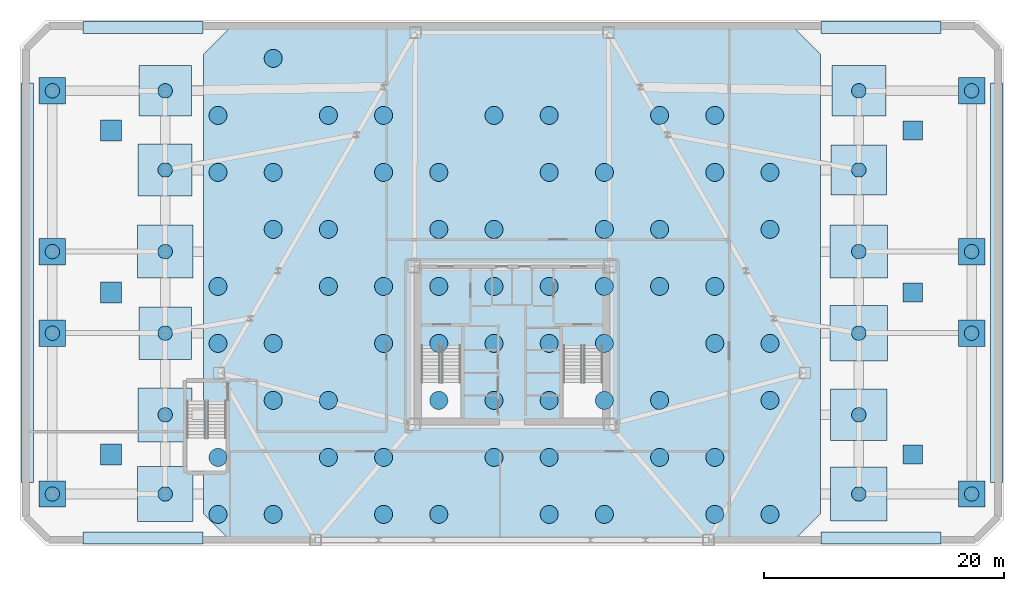
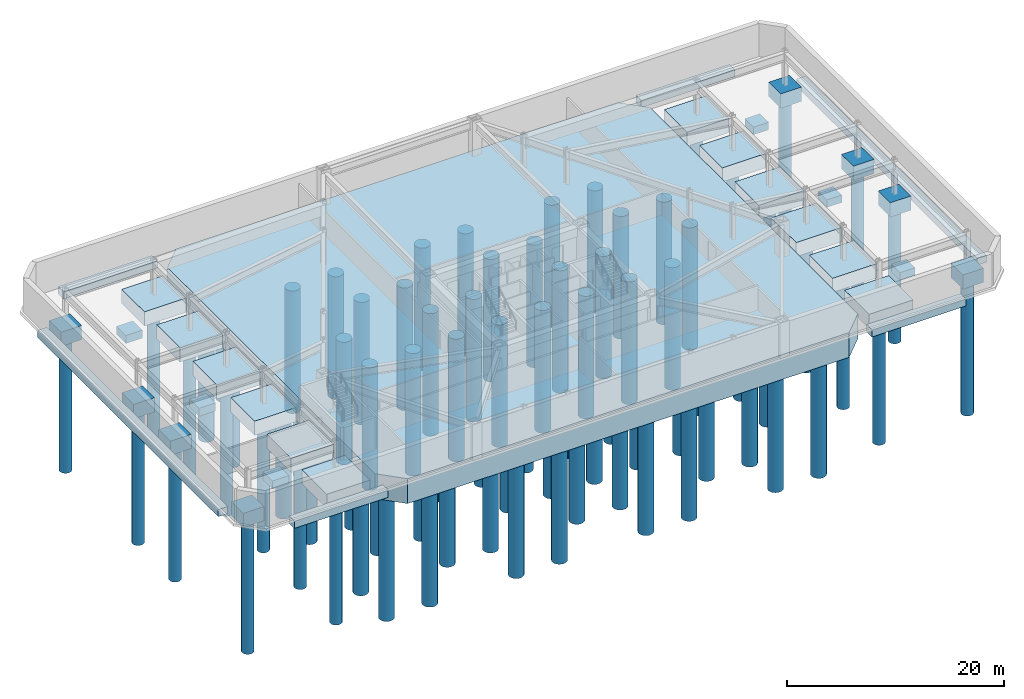
# One storey, part 1 of 8: 84 piles, 33 footings.
"""IFC4 building model written with IfcOpenShell, lengths in metres."""

import ifcopenshell
import ifcopenshell.guid

model = None  # the IFC model being written
_history = None  # IfcOwnerHistory: only IFC2X3 demands one
_inside = {}  # id of a spatial element -> (the spatial element, [elements in it])
_under = {}  # id of a project, library or spatial element -> (it, [spatial elements below it])
_declared = {}  # id of a project -> (the project, [libraries it declares])
_typed = {}  # id of a type object -> (the type object, [elements of that type])
_made_of = {}  # id of a material, layer set ... -> (it, [elements and type objects made of it])


def new_model(schema):
    """Start an empty IFC model of exactly this schema.

    Asked for "IFC4X3", IfcOpenShell would pick the latest addendum, in which some entities
    have other attributes; the version numbers below select the first issue.
    IFC2X3 requires an IfcOwnerHistory on every rooted entity: one is made here for all.
    """
    global model, _history
    if schema == "IFC4X3":
        model = ifcopenshell.file(schema_version=(4, 3, 0, 0))
    else:
        model = ifcopenshell.file(schema=schema)
    _inside.clear()
    _under.clear()
    _declared.clear()
    _typed.clear()
    _made_of.clear()
    _history = None
    if model.schema == "IFC2X3":
        org = make("IfcOrganization", Name="unknown")
        user = make(
            "IfcPersonAndOrganization",
            ThePerson=make("IfcPerson", FamilyName="unknown"),
            TheOrganization=org,
        )
        app = make(
            "IfcApplication",
            ApplicationDeveloper=org,
            Version="unknown",
            ApplicationFullName="unknown",
            ApplicationIdentifier="unknown",
        )
        _history = make(
            "IfcOwnerHistory",
            OwningUser=user,
            OwningApplication=app,
            ChangeAction="ADDED",
            CreationDate=0,
        )
    return model


def make(cls, **values):
    """One entity of the class cls with the attributes given. An attribute that is None is left unset."""
    return model.create_entity(
        cls, **{name: value for name, value in values.items() if value is not None}
    )


def rooted(cls, **values):
    """An entity with a GlobalId (a new one), such as an element, a storey or a relation."""
    return make(cls, GlobalId=ifcopenshell.guid.new(), OwnerHistory=_history, **values)


def si_unit(unit_type, name, prefix=None):
    """IfcSIUnit, for example si_unit("LENGTHUNIT", "METRE", prefix="MILLI")."""
    return make("IfcSIUnit", UnitType=unit_type, Prefix=prefix, Name=name)


def assignment(units):
    """IfcUnitAssignment: the units of a project."""
    return None if units is None else make("IfcUnitAssignment", Units=units)


def point(xyz):
    """IfcCartesianPoint."""
    return None if xyz is None else make("IfcCartesianPoint", Coordinates=xyz)


def direction(xyz):
    """IfcDirection."""
    return None if xyz is None else make("IfcDirection", DirectionRatios=xyz)


def frame(location, z_axis=None, x_axis=None):
    """IfcAxis2Placement3D, a coordinate frame: its origin and axes. An axis left out is left unset."""
    return make(
        "IfcAxis2Placement3D",
        Location=point(location),
        Axis=direction(z_axis),
        RefDirection=direction(x_axis),
    )


def frame_2d(location, x_axis=None):
    """IfcAxis2Placement2D, a coordinate frame in the plane: its origin and x axis."""
    return make(
        "IfcAxis2Placement2D", Location=point(location), RefDirection=direction(x_axis)
    )


def origin():
    """The frame at (0, 0, 0) with its axes left unset."""
    return frame((0.0, 0.0, 0.0))


def origin_2d():
    """The frame at (0, 0) in the plane with its x axis left unset."""
    return frame_2d((0.0, 0.0))


def place(relative_to, where):
    """IfcLocalPlacement: puts the frame where relative to a parent placement (None: the world)."""
    return make(
        "IfcLocalPlacement", PlacementRelTo=relative_to, RelativePlacement=where
    )


def context(
    kind, dimensions, precision=None, world=None, true_north=None, identifier=None
):
    """IfcGeometricRepresentationContext, for example the 3D "Model" context."""
    return make(
        "IfcGeometricRepresentationContext",
        ContextIdentifier=identifier,
        ContextType=kind,
        CoordinateSpaceDimension=dimensions,
        Precision=precision,
        WorldCoordinateSystem=world,
        TrueNorth=true_north,
    )


def subcontext(parent, identifier, kind, view, scale=None):
    """IfcGeometricRepresentationSubContext, for example "Body" below "Model"."""
    return make(
        "IfcGeometricRepresentationSubContext",
        ContextIdentifier=identifier,
        ContextType=kind,
        ParentContext=parent,
        TargetScale=scale,
        TargetView=view,
    )


def project(units=None, contexts=None):
    """IfcProject with its units and contexts."""
    return rooted(
        "IfcProject",
        Name="project",
        RepresentationContexts=contexts,
        UnitsInContext=assignment(units),
    )


def spatial(cls, under=None, at=None, **own):
    """A site, building, storey or space (cls), placed at a placement, below another one or the project."""
    s = rooted(cls, ObjectPlacement=at, **own)
    if under is not None:
        _under.setdefault(under.id(), (under, []))[1].append(s)
    return s


def polyline(points):
    """IfcPolyline through the points."""
    return make("IfcPolyline", Points=[point(p) for p in points])


def profile(cls, at=None, kind="AREA", **sizes):
    """A parametric profile (cls). Its sizes go by their IFC names, for example OverallWidth=200.0."""
    return make(cls, ProfileType=kind, Position=at, **sizes)


def rectangle(**sizes):
    """IfcRectangleProfileDef."""
    return profile("IfcRectangleProfileDef", **sizes)


def circle(**sizes):
    """IfcCircleProfileDef."""
    return profile("IfcCircleProfileDef", **sizes)


def outline(outer, holes=None, kind="AREA"):
    """IfcArbitraryClosedProfileDef: a profile drawn as a closed curve; with holes, ...WithVoids."""
    if holes is None:
        return make("IfcArbitraryClosedProfileDef", ProfileType=kind, OuterCurve=outer)
    return make(
        "IfcArbitraryProfileDefWithVoids",
        ProfileType=kind,
        OuterCurve=outer,
        InnerCurves=holes,
    )


def extrude(swept, where, along, depth):
    """IfcExtrudedAreaSolid: the profile swept, set in the frame where, extruded along a direction by depth."""
    return make(
        "IfcExtrudedAreaSolid",
        SweptArea=swept,
        Position=where,
        ExtrudedDirection=direction(along),
        Depth=depth,
    )


def shape(context_of_items, identifier, shape_type, items):
    """IfcShapeRepresentation: the items that make up one representation, for example the "Body"."""
    return make(
        "IfcShapeRepresentation",
        ContextOfItems=context_of_items,
        RepresentationIdentifier=identifier,
        RepresentationType=shape_type,
        Items=items,
    )


def material(Name=None, Category=None):
    """IfcMaterial."""
    return make("IfcMaterial", Name=Name, Category=Category)


def material_profile(
    of_material, cross_section, Name=None, Category=None, Priority=None
):
    """IfcMaterialProfile: a cross section and its material."""
    return make(
        "IfcMaterialProfile",
        Name=Name,
        Material=of_material,
        Profile=cross_section,
        Priority=Priority,
        Category=Category,
    )


def profile_set(profiles, Name=None, composite=None):
    """IfcMaterialProfileSet."""
    return make(
        "IfcMaterialProfileSet",
        Name=Name,
        MaterialProfiles=profiles,
        CompositeProfile=composite,
    )


def made_of(thing, what):
    """Note that an element or type object is made of a material, layer set ...; save() writes the relation."""
    if what is not None:
        _made_of.setdefault(what.id(), (what, []))[1].append(thing)
    return thing


def type_object(cls, material=None, **own):
    """A type object (cls), such as IfcWallType, which elements share."""
    return made_of(rooted(cls, **own), material)


def element(
    cls,
    number,
    at=None,
    inside=None,
    cuts=None,
    type_object=None,
    material=None,
    context=None,
    identifier="Body",
    shape_type=None,
    held_by="IfcProductDefinitionShape",
    body=None,
    shapes=None,
    **own,
):
    """One element of the class cls, such as IfcWall. Its Tag is "e" and its number.

    at: its placement. inside: the storey or other place that contains it. cuts: it is an
    opening in that element (IfcRelVoidsElement). A single representation is given by context,
    identifier, shape_type and body (its items); several are given by shapes. held_by: the class
    of the entity that holds the representations. save() writes the other relations.
    """
    e = rooted(cls, Tag="e%d" % number, ObjectPlacement=at, **own)
    if body is not None:
        shapes = [shape(context, identifier, shape_type, body)]
    if shapes is not None:
        e.Representation = make(held_by, Representations=shapes)
    if inside is not None:
        _inside.setdefault(inside.id(), (inside, []))[1].append(e)
    if cuts is not None:
        rooted(
            "IfcRelVoidsElement", RelatingBuildingElement=cuts, RelatedOpeningElement=e
        )
    if type_object is not None:
        _typed.setdefault(type_object.id(), (type_object, []))[1].append(e)
    return made_of(e, material)


def aggregate(whole, parts):
    """IfcRelAggregates: a whole, such as a stair, and the parts it consists of."""
    return rooted("IfcRelAggregates", RelatingObject=whole, RelatedObjects=parts)


def save(model, path):
    """Write the relations noted so far, then the file.

    IfcRelAggregates (storeys below a building ...), IfcRelContainedInSpatialStructure (elements
    in a storey), IfcRelDefinesByType, IfcRelAssociatesMaterial and IfcRelDeclares: one each for
    every whole, place, type object, material and project.
    """
    for whole, parts in _under.values():
        aggregate(whole, parts)
    for where, things in _inside.values():
        rooted(
            "IfcRelContainedInSpatialStructure",
            RelatedElements=things,
            RelatingStructure=where,
        )
    for kind, things in _typed.values():
        rooted("IfcRelDefinesByType", RelatedObjects=things, RelatingType=kind)
    for what, things in _made_of.values():
        rooted("IfcRelAssociatesMaterial", RelatedObjects=things, RelatingMaterial=what)
    for by, libraries in _declared.values():
        rooted("IfcRelDeclares", RelatingContext=by, RelatedDefinitions=libraries)
    model.write(path)


model = new_model("IFC4")

# Units and contexts
model_context = context("Model", 3, precision=1e-05, world=origin(), true_north=direction((0.0, 1.0)))
body_context = subcontext(model_context, "Body", "Model", "MODEL_VIEW")
ifc_project = project(units=[si_unit("LENGTHUNIT", "METRE"), si_unit("AREAUNIT", "SQUARE_METRE"), si_unit("VOLUMEUNIT", "CUBIC_METRE"), si_unit("PLANEANGLEUNIT", "RADIAN"), si_unit("MASSUNIT", "GRAM", prefix="KILO")], contexts=[model_context])

# Site, building, storey
site_placement = place(None, origin())
site = spatial("IfcSite", under=ifc_project, at=site_placement, CompositionType="ELEMENT")
building_placement = place(site_placement, origin())
building = spatial("IfcBuilding", under=site, at=building_placement, Name="Oramaril Tower", CompositionType="ELEMENT")
storey_placement = place(building_placement, frame((0.0, 0.0, -8.0)))
storey = spatial("IfcBuildingStorey", under=building, at=storey_placement, Name="B02", CompositionType="ELEMENT", Elevation=-8.0)

# Footings
ifc_material_1 = material(Name="Concrete C40/50", Category="concrete")
footing_type_1 = type_object("IfcFootingType", Name="FT-PAD1", PredefinedType="PAD_FOOTING", material=ifc_material_1)
for number, where, z_axis, x_axis, name in (
    (1, (4.10009765625, 8.5, -1.199951171875), (0.0, 0.0, 1.0), (1.0, 0.0, 0.0), "Substructure Equipment Pad PF-01-01"),
    (2, (4.10009765625, 22.0, -1.199951171875), (0.0, 0.0, 1.0), (1.0, 0.0, 0.0), "Substructure Equipment Pad PF-01-02"),
    (3, (4.10009765625, 35.5, -1.199951171875), (0.0, 0.0, 1.0), (1.0, 0.0, 0.0), "Substructure Equipment Pad PF-01-03"),
):
    element("IfcFooting", number, at=place(storey_placement, frame(where, z_axis=z_axis, x_axis=x_axis)), inside=storey, type_object=footing_type_1, Name=name, PredefinedType="PAD_FOOTING", context=body_context, shape_type="SweptSolid", body=[
        extrude(rectangle(XDim=1.75, YDim=1.75, at=origin_2d()), origin(), (0.0, 0.0, 1.0), 0.89990234375),
    ])
ifc_material_2 = material(Name="Concrete C40/50", Category="concrete")
footing_type_2 = type_object("IfcFootingType", Name="FT-PAD2", PredefinedType="PAD_FOOTING", material=ifc_material_2)
for number, where, z_axis, x_axis, name in (
    (4, (70.89990234375, 8.5, -1.150146484375), (0.0, 0.0, 1.0), (1.0, 0.0, 0.0), "Substructure Equipment Pad PF-02-04"),
    (5, (70.89990234375, 22.0, -1.150146484375), (0.0, 0.0, 1.0), (1.0, 0.0, 0.0), "Substructure Equipment Pad PF-02-05"),
    (6, (70.89990234375, 35.5, -1.150146484375), (0.0, 0.0, 1.0), (1.0, 0.0, 0.0), "Substructure Equipment Pad PF-02-06"),
):
    element("IfcFooting", number, at=place(storey_placement, frame(where, z_axis=z_axis, x_axis=x_axis)), inside=storey, type_object=footing_type_2, Name=name, PredefinedType="PAD_FOOTING", context=body_context, shape_type="SweptSolid", body=[
        extrude(rectangle(XDim=1.60009765625, YDim=1.60009765625, at=origin_2d()), origin(), (0.0, 0.0, 1.0), 0.85009765625),
    ])
ifc_material_3 = material(Name="Concrete C50/60", Category="concrete")
footing_type_3 = type_object("IfcFootingType", Name="FT-PC01", PredefinedType="PILE_CAP", material=ifc_material_3)
footing_1_placement = place(storey_placement, frame((8.60009765625, 5.199951171875, -1.60009765625), z_axis=(0.0, 0.0, 1.0), x_axis=(1.0, 0.0, 0.0)))
element("IfcFooting", 7, at=footing_1_placement, inside=storey, type_object=footing_type_3, Name="Podium Pile Cap PC-01", PredefinedType="PILE_CAP", context=body_context, shape_type="SweptSolid", body=[
    extrude(rectangle(XDim=4.60009765625, YDim=4.60009765625, at=origin_2d()), origin(), (0.0, 0.0, 1.0), 1.60009765625),
])
ifc_material_4 = material(Name="Concrete C50/60", Category="concrete")
footing_type_4 = type_object("IfcFootingType", Name="FT-PC02", PredefinedType="PILE_CAP", material=ifc_material_4)
footing_2_placement = place(storey_placement, frame((8.60009765625, 11.800048828125, -1.60009765625), z_axis=(0.0, 0.0, 1.0), x_axis=(1.0, 0.0, 0.0)))
element("IfcFooting", 8, at=footing_2_placement, inside=storey, type_object=footing_type_4, Name="Podium Pile Cap PC-02", PredefinedType="PILE_CAP", context=body_context, shape_type="SweptSolid", body=[
    extrude(rectangle(XDim=4.5, YDim=4.5, at=origin_2d()), origin(), (0.0, 0.0, 1.0), 1.60009765625),
])
ifc_material_5 = material(Name="Concrete C50/60", Category="concrete")
footing_type_5 = type_object("IfcFootingType", Name="FT-PC03", PredefinedType="PILE_CAP", material=ifc_material_5)
footing_3_placement = place(storey_placement, frame((8.60009765625, 18.60009765625, -1.60009765625), z_axis=(0.0, 0.0, 1.0), x_axis=(1.0, 0.0, 0.0)))
element("IfcFooting", 9, at=footing_3_placement, inside=storey, type_object=footing_type_5, Name="Podium Pile Cap PC-03", PredefinedType="PILE_CAP", context=body_context, shape_type="SweptSolid", body=[
    extrude(rectangle(XDim=4.39990234375, YDim=4.39990234375, at=origin_2d()), origin(), (0.0, 0.0, 1.0), 1.60009765625),
])
ifc_material_6 = material(Name="Concrete C50/60", Category="concrete")
footing_type_6 = type_object("IfcFootingType", Name="FT-PC04", PredefinedType="PILE_CAP", material=ifc_material_6)
footing_4_placement = place(storey_placement, frame((8.60009765625, 25.39990234375, -1.60009765625), z_axis=(0.0, 0.0, 1.0), x_axis=(1.0, 0.0, 0.0)))
element("IfcFooting", 10, at=footing_4_placement, inside=storey, type_object=footing_type_6, Name="Podium Pile Cap PC-04", PredefinedType="PILE_CAP", context=body_context, shape_type="SweptSolid", body=[
    extrude(rectangle(XDim=4.60009765625, YDim=4.39990234375, at=origin_2d()), origin(), (0.0, 0.0, 1.0), 1.60009765625),
])
ifc_material_7 = material(Name="Concrete C50/60", Category="concrete")
footing_type_7 = type_object("IfcFootingType", Name="FT-PC05", PredefinedType="PILE_CAP", material=ifc_material_7)
footing_5_placement = place(storey_placement, frame((8.60009765625, 32.199951171875, -1.60009765625), z_axis=(0.0, 0.0, 1.0), x_axis=(1.0, 0.0, 0.0)))
element("IfcFooting", 11, at=footing_5_placement, inside=storey, type_object=footing_type_7, Name="Podium Pile Cap PC-05", PredefinedType="PILE_CAP", context=body_context, shape_type="SweptSolid", body=[
    extrude(rectangle(XDim=4.5, YDim=4.300048828125, at=origin_2d()), origin(), (0.0, 0.0, 1.0), 1.60009765625),
])
ifc_material_8 = material(Name="Concrete C50/60", Category="concrete")
footing_type_8 = type_object("IfcFootingType", Name="FT-PC06", PredefinedType="PILE_CAP", material=ifc_material_8)
footing_6_placement = place(storey_placement, frame((8.60009765625, 38.800048828125, -1.60009765625), z_axis=(0.0, 0.0, 1.0), x_axis=(1.0, 0.0, 0.0)))
element("IfcFooting", 12, at=footing_6_placement, inside=storey, type_object=footing_type_8, Name="Podium Pile Cap PC-06", PredefinedType="PILE_CAP", context=body_context, shape_type="SweptSolid", body=[
    extrude(rectangle(XDim=4.39990234375, YDim=4.199951171875, at=origin_2d()), origin(), (0.0, 0.0, 1.0), 1.60009765625),
])
ifc_material_9 = material(Name="Concrete C50/60", Category="concrete")
footing_type_9 = type_object("IfcFootingType", Name="FT-PC07", PredefinedType="PILE_CAP", material=ifc_material_9)
footing_7_placement = place(storey_placement, frame((66.39990234375, 5.199951171875, -1.60009765625), z_axis=(0.0, 0.0, 1.0), x_axis=(1.0, 0.0, 0.0)))
element("IfcFooting", 13, at=footing_7_placement, inside=storey, type_object=footing_type_9, Name="Podium Pile Cap PC-07", PredefinedType="PILE_CAP", context=body_context, shape_type="SweptSolid", body=[
    extrude(rectangle(XDim=4.699951171875, YDim=4.5, at=origin_2d()), origin(), (0.0, 0.0, 1.0), 1.60009765625),
])
ifc_material_10 = material(Name="Concrete C50/60", Category="concrete")
footing_type_10 = type_object("IfcFootingType", Name="FT-PC08", PredefinedType="PILE_CAP", material=ifc_material_10)
footing_8_placement = place(storey_placement, frame((66.39990234375, 11.800048828125, -1.60009765625), z_axis=(0.0, 0.0, 1.0), x_axis=(1.0, 0.0, 0.0)))
element("IfcFooting", 14, at=footing_8_placement, inside=storey, type_object=footing_type_10, Name="Podium Pile Cap PC-08", PredefinedType="PILE_CAP", context=body_context, shape_type="SweptSolid", body=[
    extrude(rectangle(XDim=4.699951171875, YDim=4.300048828125, at=origin_2d()), origin(), (0.0, 0.0, 1.0), 1.60009765625),
])
ifc_material_11 = material(Name="Concrete C50/60", Category="concrete")
footing_type_11 = type_object("IfcFootingType", Name="FT-PC09", PredefinedType="PILE_CAP", material=ifc_material_11)
footing_9_placement = place(storey_placement, frame((66.39990234375, 18.60009765625, -1.60009765625), z_axis=(0.0, 0.0, 1.0), x_axis=(1.0, 0.0, 0.0)))
element("IfcFooting", 15, at=footing_9_placement, inside=storey, type_object=footing_type_11, Name="Podium Pile Cap PC-09", PredefinedType="PILE_CAP", context=body_context, shape_type="SweptSolid", body=[
    extrude(rectangle(XDim=4.800048828125, YDim=4.60009765625, at=origin_2d()), origin(), (0.0, 0.0, 1.0), 1.60009765625),
])
ifc_material_12 = material(Name="Concrete C50/60", Category="concrete")
footing_type_12 = type_object("IfcFootingType", Name="FT-PC10", PredefinedType="PILE_CAP", material=ifc_material_12)
footing_10_placement = place(storey_placement, frame((66.39990234375, 25.39990234375, -1.60009765625), z_axis=(0.0, 0.0, 1.0), x_axis=(1.0, 0.0, 0.0)))
element("IfcFooting", 16, at=footing_10_placement, inside=storey, type_object=footing_type_12, Name="Podium Pile Cap PC-10", PredefinedType="PILE_CAP", context=body_context, shape_type="SweptSolid", body=[
    extrude(rectangle(XDim=4.800048828125, YDim=4.39990234375, at=origin_2d()), origin(), (0.0, 0.0, 1.0), 1.60009765625),
])
ifc_material_13 = material(Name="Concrete C50/60", Category="concrete")
footing_type_13 = type_object("IfcFootingType", Name="FT-PC11", PredefinedType="PILE_CAP", material=ifc_material_13)
footing_11_placement = place(storey_placement, frame((66.39990234375, 32.199951171875, -1.60009765625), z_axis=(0.0, 0.0, 1.0), x_axis=(1.0, 0.0, 0.0)))
element("IfcFooting", 17, at=footing_11_placement, inside=storey, type_object=footing_type_13, Name="Podium Pile Cap PC-11", PredefinedType="PILE_CAP", context=body_context, shape_type="SweptSolid", body=[
    extrude(rectangle(XDim=4.60009765625, YDim=4.199951171875, at=origin_2d()), origin(), (0.0, 0.0, 1.0), 1.60009765625),
])
ifc_material_14 = material(Name="Concrete C50/60", Category="concrete")
footing_type_14 = type_object("IfcFootingType", Name="FT-PC12", PredefinedType="PILE_CAP", material=ifc_material_14)
footing_12_placement = place(storey_placement, frame((66.39990234375, 38.800048828125, -1.60009765625), z_axis=(0.0, 0.0, 1.0), x_axis=(1.0, 0.0, 0.0)))
element("IfcFooting", 18, at=footing_12_placement, inside=storey, type_object=footing_type_14, Name="Podium Pile Cap PC-12", PredefinedType="PILE_CAP", context=body_context, shape_type="SweptSolid", body=[
    extrude(rectangle(XDim=4.5, YDim=4.199951171875, at=origin_2d()), origin(), (0.0, 0.0, 1.0), 1.60009765625),
])
ifc_material_15 = material(Name="Concrete C50/60", Category="concrete")
footing_type_15 = type_object("IfcFootingType", Name="FT-PCW1", PredefinedType="PILE_CAP", material=ifc_material_15)
for number, where, z_axis, x_axis, name in (
    (19, (-0.800048828125, 5.199951171875, -1.60009765625), (0.0, 0.0, 1.0), (1.0, 0.0, 0.0), "Lower Podium Wing Pile Cap PC-13-01"),
    (20, (-0.800048828125, 18.60009765625, -1.60009765625), (0.0, 0.0, 1.0), (1.0, 0.0, 0.0), "Lower Podium Wing Pile Cap PC-13-02"),
    (21, (-0.800048828125, 25.39990234375, -1.60009765625), (0.0, 0.0, 1.0), (1.0, 0.0, 0.0), "Lower Podium Wing Pile Cap PC-13-03"),
    (22, (-0.800048828125, 38.800048828125, -1.60009765625), (0.0, 0.0, 1.0), (1.0, 0.0, 0.0), "Lower Podium Wing Pile Cap PC-13-04"),
    (23, (75.800048828125, 5.199951171875, -1.60009765625), (0.0, 0.0, 1.0), (1.0, 0.0, 0.0), "Lower Podium Wing Pile Cap PC-13-05"),
    (24, (75.800048828125, 18.60009765625, -1.60009765625), (0.0, 0.0, 1.0), (1.0, 0.0, 0.0), "Lower Podium Wing Pile Cap PC-13-06"),
    (25, (75.800048828125, 25.39990234375, -1.60009765625), (0.0, 0.0, 1.0), (1.0, 0.0, 0.0), "Lower Podium Wing Pile Cap PC-13-07"),
    (26, (75.800048828125, 38.800048828125, -1.60009765625), (0.0, 0.0, 1.0), (1.0, 0.0, 0.0), "Lower Podium Wing Pile Cap PC-13-08"),
):
    element("IfcFooting", number, at=place(storey_placement, frame(where, z_axis=z_axis, x_axis=x_axis)), inside=storey, type_object=footing_type_15, Name=name, PredefinedType="PILE_CAP", context=body_context, shape_type="SweptSolid", body=[
        extrude(rectangle(XDim=2.199951171875, YDim=2.199951171875, at=origin_2d()), origin(), (0.0, 0.0, 1.0), 1.60009765625),
    ])
ifc_material_16 = material(Name="Concrete C50/60", Category="concrete")
footing_type_16 = type_object("IfcFootingType", Name="FT-RF1", PredefinedType="PILE_CAP", material=ifc_material_16)
footing_13_placement = place(storey_placement, frame((0.0, 0.0, -2.800048828125)))
element("IfcFooting", 27, at=footing_13_placement, inside=storey, type_object=footing_type_16, Name="Tower Piled Raft RF-1", PredefinedType="PILE_CAP", context=body_context, shape_type="SweptSolid", body=[
    extrude(outline(polyline([(14.0, 1.35009765625), (61.0, 1.35009765625), (63.199951171875, 3.550048828125), (63.199951171875, 41.85009765625), (61.0, 44.050048828125), (14.0, 44.050048828125), (11.800048828125, 41.85009765625), (11.800048828125, 3.550048828125), (14.0, 1.35009765625)])), origin(), (0.0, 0.0, 1.0), 2.800048828125),
])
ifc_material_17 = material(Name="Concrete C40/50", Category="concrete")
footing_type_17 = type_object("IfcFootingType", Name="FT-STR1", PredefinedType="STRIP_FOOTING", material=ifc_material_17)
footing_14_placement = place(storey_placement, frame((0.0, 0.0, -1.10009765625)))
element("IfcFooting", 28, at=footing_14_placement, inside=storey, type_object=footing_type_17, Name="Perimeter Retaining Wall Strip Footing SF-01", PredefinedType="STRIP_FOOTING", context=body_context, shape_type="SweptSolid", body=[
    extrude(outline(polyline([(1.7568359375, 1.02001953125), (11.75, 1.02001953125), (11.75, 2.02001953125), (1.7568359375, 2.02001953125), (1.7568359375, 1.02001953125)])), origin(), (0.0, 0.0, 1.0), 0.800048828125),
])
footing_15_placement = place(storey_placement, frame((0.0, 0.0, -1.10009765625)))
element("IfcFooting", 29, at=footing_15_placement, inside=storey, type_object=footing_type_17, Name="Perimeter Retaining Wall Strip Footing SF-02", PredefinedType="STRIP_FOOTING", context=body_context, shape_type="SweptSolid", body=[
    extrude(outline(polyline([(63.25, 1.02001953125), (73.2431640625, 1.02001953125), (73.2431640625, 2.02001953125), (63.25, 2.02001953125), (63.25, 1.02001953125)])), origin(), (0.0, 0.0, 1.0), 0.800048828125),
])
footing_16_placement = place(storey_placement, frame((0.0, 0.0, -1.10009765625)))
element("IfcFooting", 30, at=footing_16_placement, inside=storey, type_object=footing_type_17, Name="Perimeter Retaining Wall Strip Footing SF-03", PredefinedType="STRIP_FOOTING", context=body_context, shape_type="SweptSolid", body=[
    extrude(outline(polyline([(77.3798828125, 6.15673828125), (78.3798828125, 6.15673828125), (78.3798828125, 39.443115234375), (77.3798828125, 39.443115234375), (77.3798828125, 6.15673828125)])), origin(), (0.0, 0.0, 1.0), 0.800048828125),
])
footing_17_placement = place(storey_placement, frame((0.0, 0.0, -1.10009765625)))
element("IfcFooting", 31, at=footing_17_placement, inside=storey, type_object=footing_type_17, Name="Perimeter Retaining Wall Strip Footing SF-04", PredefinedType="STRIP_FOOTING", context=body_context, shape_type="SweptSolid", body=[
    extrude(outline(polyline([(1.7568359375, 43.580078125), (11.75, 43.580078125), (11.75, 44.580078125), (1.7568359375, 44.580078125), (1.7568359375, 43.580078125)])), origin(), (0.0, 0.0, 1.0), 0.800048828125),
])
footing_18_placement = place(storey_placement, frame((0.0, 0.0, -1.10009765625)))
element("IfcFooting", 32, at=footing_18_placement, inside=storey, type_object=footing_type_17, Name="Perimeter Retaining Wall Strip Footing SF-05", PredefinedType="STRIP_FOOTING", context=body_context, shape_type="SweptSolid", body=[
    extrude(outline(polyline([(63.25, 43.580078125), (73.2431640625, 43.580078125), (73.2431640625, 44.580078125), (63.25, 44.580078125), (63.25, 43.580078125)])), origin(), (0.0, 0.0, 1.0), 0.800048828125),
])
footing_19_placement = place(storey_placement, frame((0.0, 0.0, -1.10009765625)))
element("IfcFooting", 33, at=footing_19_placement, inside=storey, type_object=footing_type_17, Name="Perimeter Retaining Wall Strip Footing SF-06", PredefinedType="STRIP_FOOTING", context=body_context, shape_type="SweptSolid", body=[
    extrude(outline(polyline([(-3.3798828125, 6.15673828125), (-2.3798828125, 6.15673828125), (-2.3798828125, 39.443115234375), (-3.3798828125, 39.443115234375), (-3.3798828125, 6.15673828125)])), origin(), (0.0, 0.0, 1.0), 0.800048828125),
])

# Piles
ifc_material_18 = material(Name="Concrete C50/60", Category="concrete")
ifc_material_profile_1 = material_profile(ifc_material_18, circle(Radius=0.75, at=origin_2d()), Name="D1500")
ifc_profile_set_1 = profile_set([ifc_material_profile_1], Name="Concrete C50/60")
pile_type_1 = type_object("IfcPileType", Name="PT-P1", PredefinedType="BORED", material=ifc_profile_set_1)
for number, where, z_axis, x_axis, name in (
    (34, (13.0, 3.5, -2.699951171875), (0.0, 0.0, -1.0), (1.0, 0.0, 0.0), "Tower Bored Pile P1-001"),
    (35, (17.60009765625, 3.5, -2.699951171875), (0.0, 0.0, -1.0), (1.0, 0.0, 0.0), "Tower Bored Pile P1-002"),
    (36, (26.800048828125, 3.5, -2.699951171875), (0.0, 0.0, -1.0), (1.0, 0.0, 0.0), "Tower Bored Pile P1-003"),
    (37, (31.39990234375, 3.5, -2.699951171875), (0.0, 0.0, -1.0), (1.0, 0.0, 0.0), "Tower Bored Pile P1-004"),
    (38, (40.60009765625, 3.5, -2.699951171875), (0.0, 0.0, -1.0), (1.0, 0.0, 0.0), "Tower Bored Pile P1-005"),
    (39, (45.199951171875, 3.5, -2.699951171875), (0.0, 0.0, -1.0), (1.0, 0.0, 0.0), "Tower Bored Pile P1-006"),
    (40, (54.39990234375, 3.5, -2.699951171875), (0.0, 0.0, -1.0), (1.0, 0.0, 0.0), "Tower Bored Pile P1-007"),
    (41, (59.0, 3.5, -2.699951171875), (0.0, 0.0, -1.0), (1.0, 0.0, 0.0), "Tower Bored Pile P1-008"),
    (42, (13.0, 8.25, -2.699951171875), (0.0, 0.0, -1.0), (1.0, 0.0, 0.0), "Tower Bored Pile P1-009"),
    (43, (22.199951171875, 8.25, -2.699951171875), (0.0, 0.0, -1.0), (1.0, 0.0, 0.0), "Tower Bored Pile P1-010"),
    (44, (26.800048828125, 8.25, -2.699951171875), (0.0, 0.0, -1.0), (1.0, 0.0, 0.0), "Tower Bored Pile P1-011"),
    (45, (36.0, 8.25, -2.699951171875), (0.0, 0.0, -1.0), (1.0, 0.0, 0.0), "Tower Bored Pile P1-012"),
    (46, (40.60009765625, 8.25, -2.699951171875), (0.0, 0.0, -1.0), (1.0, 0.0, 0.0), "Tower Bored Pile P1-013"),
    (47, (49.800048828125, 8.25, -2.699951171875), (0.0, 0.0, -1.0), (1.0, 0.0, 0.0), "Tower Bored Pile P1-014"),
    (48, (54.39990234375, 8.25, -2.699951171875), (0.0, 0.0, -1.0), (1.0, 0.0, 0.0), "Tower Bored Pile P1-015"),
    (49, (17.60009765625, 13.0, -2.699951171875), (0.0, 0.0, -1.0), (1.0, 0.0, 0.0), "Tower Bored Pile P1-016"),
    (50, (22.199951171875, 13.0, -2.699951171875), (0.0, 0.0, -1.0), (1.0, 0.0, 0.0), "Tower Bored Pile P1-017"),
    (51, (31.39990234375, 13.0, -2.699951171875), (0.0, 0.0, -1.0), (1.0, 0.0, 0.0), "Tower Bored Pile P1-018"),
    (52, (36.0, 13.0, -2.699951171875), (0.0, 0.0, -1.0), (1.0, 0.0, 0.0), "Tower Bored Pile P1-019"),
    (53, (40.60009765625, 13.0, -2.699951171875), (0.0, 0.0, -1.0), (1.0, 0.0, 0.0), "Tower Bored Pile P1-020"),
    (54, (45.199951171875, 13.0, -2.699951171875), (0.0, 0.0, -1.0), (1.0, 0.0, 0.0), "Tower Bored Pile P1-021"),
    (55, (49.800048828125, 13.0, -2.699951171875), (0.0, 0.0, -1.0), (1.0, 0.0, 0.0), "Tower Bored Pile P1-022"),
    (56, (59.0, 13.0, -2.699951171875), (0.0, 0.0, -1.0), (1.0, 0.0, 0.0), "Tower Bored Pile P1-023"),
    (57, (13.0, 17.75, -2.699951171875), (0.0, 0.0, -1.0), (1.0, 0.0, 0.0), "Tower Bored Pile P1-024"),
    (58, (17.60009765625, 17.75, -2.699951171875), (0.0, 0.0, -1.0), (1.0, 0.0, 0.0), "Tower Bored Pile P1-025"),
    (59, (26.800048828125, 17.75, -2.699951171875), (0.0, 0.0, -1.0), (1.0, 0.0, 0.0), "Tower Bored Pile P1-026"),
    (60, (31.39990234375, 17.75, -2.699951171875), (0.0, 0.0, -1.0), (1.0, 0.0, 0.0), "Tower Bored Pile P1-027"),
    (61, (36.0, 17.75, -2.699951171875), (0.0, 0.0, -1.0), (1.0, 0.0, 0.0), "Tower Bored Pile P1-028"),
    (62, (40.60009765625, 17.75, -2.699951171875), (0.0, 0.0, -1.0), (1.0, 0.0, 0.0), "Tower Bored Pile P1-029"),
    (63, (45.199951171875, 17.75, -2.699951171875), (0.0, 0.0, -1.0), (1.0, 0.0, 0.0), "Tower Bored Pile P1-030"),
    (64, (54.39990234375, 17.75, -2.699951171875), (0.0, 0.0, -1.0), (1.0, 0.0, 0.0), "Tower Bored Pile P1-031"),
    (65, (59.0, 17.75, -2.699951171875), (0.0, 0.0, -1.0), (1.0, 0.0, 0.0), "Tower Bored Pile P1-032"),
    (66, (13.0, 22.5, -2.699951171875), (0.0, 0.0, -1.0), (1.0, 0.0, 0.0), "Tower Bored Pile P1-033"),
    (67, (22.199951171875, 22.5, -2.699951171875), (0.0, 0.0, -1.0), (1.0, 0.0, 0.0), "Tower Bored Pile P1-034"),
    (68, (26.800048828125, 22.5, -2.699951171875), (0.0, 0.0, -1.0), (1.0, 0.0, 0.0), "Tower Bored Pile P1-035"),
    (69, (31.39990234375, 22.5, -2.699951171875), (0.0, 0.0, -1.0), (1.0, 0.0, 0.0), "Tower Bored Pile P1-036"),
    (70, (36.0, 22.5, -2.699951171875), (0.0, 0.0, -1.0), (1.0, 0.0, 0.0), "Tower Bored Pile P1-037"),
    (71, (40.60009765625, 22.5, -2.699951171875), (0.0, 0.0, -1.0), (1.0, 0.0, 0.0), "Tower Bored Pile P1-038"),
    (72, (45.199951171875, 22.5, -2.699951171875), (0.0, 0.0, -1.0), (1.0, 0.0, 0.0), "Tower Bored Pile P1-039"),
    (73, (49.800048828125, 22.5, -2.699951171875), (0.0, 0.0, -1.0), (1.0, 0.0, 0.0), "Tower Bored Pile P1-040"),
    (74, (54.39990234375, 22.5, -2.699951171875), (0.0, 0.0, -1.0), (1.0, 0.0, 0.0), "Tower Bored Pile P1-041"),
    (75, (17.60009765625, 27.25, -2.699951171875), (0.0, 0.0, -1.0), (1.0, 0.0, 0.0), "Tower Bored Pile P1-042"),
    (76, (22.199951171875, 27.25, -2.699951171875), (0.0, 0.0, -1.0), (1.0, 0.0, 0.0), "Tower Bored Pile P1-043"),
    (77, (31.39990234375, 27.25, -2.699951171875), (0.0, 0.0, -1.0), (1.0, 0.0, 0.0), "Tower Bored Pile P1-044"),
    (78, (36.0, 27.25, -2.699951171875), (0.0, 0.0, -1.0), (1.0, 0.0, 0.0), "Tower Bored Pile P1-045"),
    (79, (45.199951171875, 27.25, -2.699951171875), (0.0, 0.0, -1.0), (1.0, 0.0, 0.0), "Tower Bored Pile P1-046"),
    (80, (49.800048828125, 27.25, -2.699951171875), (0.0, 0.0, -1.0), (1.0, 0.0, 0.0), "Tower Bored Pile P1-047"),
    (81, (59.0, 27.25, -2.699951171875), (0.0, 0.0, -1.0), (1.0, 0.0, 0.0), "Tower Bored Pile P1-048"),
    (82, (13.0, 32.0, -2.699951171875), (0.0, 0.0, -1.0), (1.0, 0.0, 0.0), "Tower Bored Pile P1-049"),
    (83, (17.60009765625, 32.0, -2.699951171875), (0.0, 0.0, -1.0), (1.0, 0.0, 0.0), "Tower Bored Pile P1-050"),
    (84, (26.800048828125, 32.0, -2.699951171875), (0.0, 0.0, -1.0), (1.0, 0.0, 0.0), "Tower Bored Pile P1-051"),
    (85, (31.39990234375, 32.0, -2.699951171875), (0.0, 0.0, -1.0), (1.0, 0.0, 0.0), "Tower Bored Pile P1-052"),
    (86, (40.60009765625, 32.0, -2.699951171875), (0.0, 0.0, -1.0), (1.0, 0.0, 0.0), "Tower Bored Pile P1-053"),
    (87, (45.199951171875, 32.0, -2.699951171875), (0.0, 0.0, -1.0), (1.0, 0.0, 0.0), "Tower Bored Pile P1-054"),
    (88, (54.39990234375, 32.0, -2.699951171875), (0.0, 0.0, -1.0), (1.0, 0.0, 0.0), "Tower Bored Pile P1-055"),
    (89, (59.0, 32.0, -2.699951171875), (0.0, 0.0, -1.0), (1.0, 0.0, 0.0), "Tower Bored Pile P1-056"),
    (90, (13.0, 36.75, -2.699951171875), (0.0, 0.0, -1.0), (1.0, 0.0, 0.0), "Tower Bored Pile P1-057"),
    (91, (22.199951171875, 36.75, -2.699951171875), (0.0, 0.0, -1.0), (1.0, 0.0, 0.0), "Tower Bored Pile P1-058"),
    (92, (26.800048828125, 36.75, -2.699951171875), (0.0, 0.0, -1.0), (1.0, 0.0, 0.0), "Tower Bored Pile P1-059"),
    (93, (36.0, 36.75, -2.699951171875), (0.0, 0.0, -1.0), (1.0, 0.0, 0.0), "Tower Bored Pile P1-060"),
    (94, (40.60009765625, 36.75, -2.699951171875), (0.0, 0.0, -1.0), (1.0, 0.0, 0.0), "Tower Bored Pile P1-061"),
    (95, (49.800048828125, 36.75, -2.699951171875), (0.0, 0.0, -1.0), (1.0, 0.0, 0.0), "Tower Bored Pile P1-062"),
    (96, (54.39990234375, 36.75, -2.699951171875), (0.0, 0.0, -1.0), (1.0, 0.0, 0.0), "Tower Bored Pile P1-063"),
    (97, (17.60009765625, 41.5, -2.699951171875), (0.0, 0.0, -1.0), (1.0, 0.0, 0.0), "Tower Bored Pile P1-064"),
):
    element("IfcPile", number, at=place(storey_placement, frame(where, z_axis=z_axis, x_axis=x_axis)), inside=storey, type_object=pile_type_1, Name=name, PredefinedType="BORED", context=body_context, shape_type="SweptSolid", body=[
        extrude(circle(Radius=0.75, at=origin_2d()), origin(), (0.0, 0.0, 1.0), 13.800048828125),
    ])
ifc_material_19 = material(Name="Concrete C50/60", Category="concrete")
ifc_material_profile_2 = material_profile(ifc_material_19, circle(Radius=0.60009765625, at=origin_2d()), Name="D1200")
ifc_profile_set_2 = profile_set([ifc_material_profile_2], Name="Concrete C50/60")
pile_type_2 = type_object("IfcPileType", Name="PT-P2", PredefinedType="BORED", material=ifc_profile_set_2)
for number, where, z_axis, x_axis, name in (
    (98, (8.60009765625, 5.199951171875, -1.5), (0.0, 0.0, -1.0), (1.0, 0.0, 0.0), "Podium Bored Pile P2-001"),
    (99, (8.60009765625, 11.800048828125, -1.5), (0.0, 0.0, -1.0), (1.0, 0.0, 0.0), "Podium Bored Pile P2-002"),
    (100, (8.60009765625, 18.60009765625, -1.5), (0.0, 0.0, -1.0), (1.0, 0.0, 0.0), "Podium Bored Pile P2-003"),
    (101, (8.60009765625, 25.39990234375, -1.5), (0.0, 0.0, -1.0), (1.0, 0.0, 0.0), "Podium Bored Pile P2-004"),
    (102, (8.60009765625, 32.199951171875, -1.5), (0.0, 0.0, -1.0), (1.0, 0.0, 0.0), "Podium Bored Pile P2-005"),
    (103, (8.60009765625, 38.800048828125, -1.5), (0.0, 0.0, -1.0), (1.0, 0.0, 0.0), "Podium Bored Pile P2-006"),
    (104, (66.39990234375, 5.199951171875, -1.5), (0.0, 0.0, -1.0), (1.0, 0.0, 0.0), "Podium Bored Pile P2-007"),
    (105, (66.39990234375, 11.800048828125, -1.5), (0.0, 0.0, -1.0), (1.0, 0.0, 0.0), "Podium Bored Pile P2-008"),
    (106, (66.39990234375, 18.60009765625, -1.5), (0.0, 0.0, -1.0), (1.0, 0.0, 0.0), "Podium Bored Pile P2-009"),
    (107, (66.39990234375, 25.39990234375, -1.5), (0.0, 0.0, -1.0), (1.0, 0.0, 0.0), "Podium Bored Pile P2-010"),
    (108, (66.39990234375, 32.199951171875, -1.5), (0.0, 0.0, -1.0), (1.0, 0.0, 0.0), "Podium Bored Pile P2-011"),
    (109, (66.39990234375, 38.800048828125, -1.5), (0.0, 0.0, -1.0), (1.0, 0.0, 0.0), "Podium Bored Pile P2-012"),
    (110, (-0.800048828125, 5.199951171875, -1.5), (0.0, 0.0, -1.0), (1.0, 0.0, 0.0), "Podium Bored Pile P2-013"),
    (111, (-0.800048828125, 18.60009765625, -1.5), (0.0, 0.0, -1.0), (1.0, 0.0, 0.0), "Podium Bored Pile P2-014"),
    (112, (-0.800048828125, 25.39990234375, -1.5), (0.0, 0.0, -1.0), (1.0, 0.0, 0.0), "Podium Bored Pile P2-015"),
    (113, (-0.800048828125, 38.800048828125, -1.5), (0.0, 0.0, -1.0), (1.0, 0.0, 0.0), "Podium Bored Pile P2-016"),
    (114, (75.800048828125, 5.199951171875, -1.5), (0.0, 0.0, -1.0), (1.0, 0.0, 0.0), "Podium Bored Pile P2-017"),
    (115, (75.800048828125, 18.60009765625, -1.5), (0.0, 0.0, -1.0), (1.0, 0.0, 0.0), "Podium Bored Pile P2-018"),
    (116, (75.800048828125, 25.39990234375, -1.5), (0.0, 0.0, -1.0), (1.0, 0.0, 0.0), "Podium Bored Pile P2-019"),
    (117, (75.800048828125, 38.800048828125, -1.5), (0.0, 0.0, -1.0), (1.0, 0.0, 0.0), "Podium Bored Pile P2-020"),
):
    element("IfcPile", number, at=place(storey_placement, frame(where, z_axis=z_axis, x_axis=x_axis)), inside=storey, type_object=pile_type_2, Name=name, PredefinedType="BORED", context=body_context, shape_type="SweptSolid", body=[
        extrude(circle(Radius=0.60009765625, at=origin_2d()), origin(), (0.0, 0.0, 1.0), 15.0),
    ])

save(model, "model.ifc")
